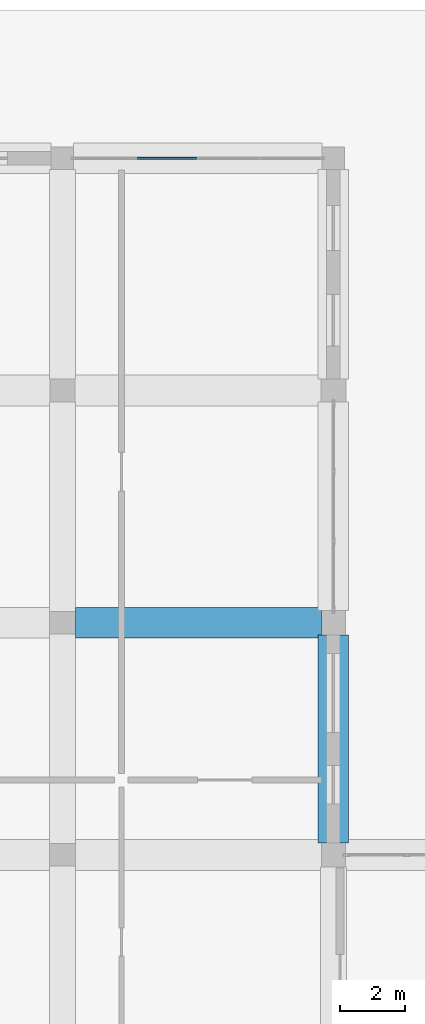
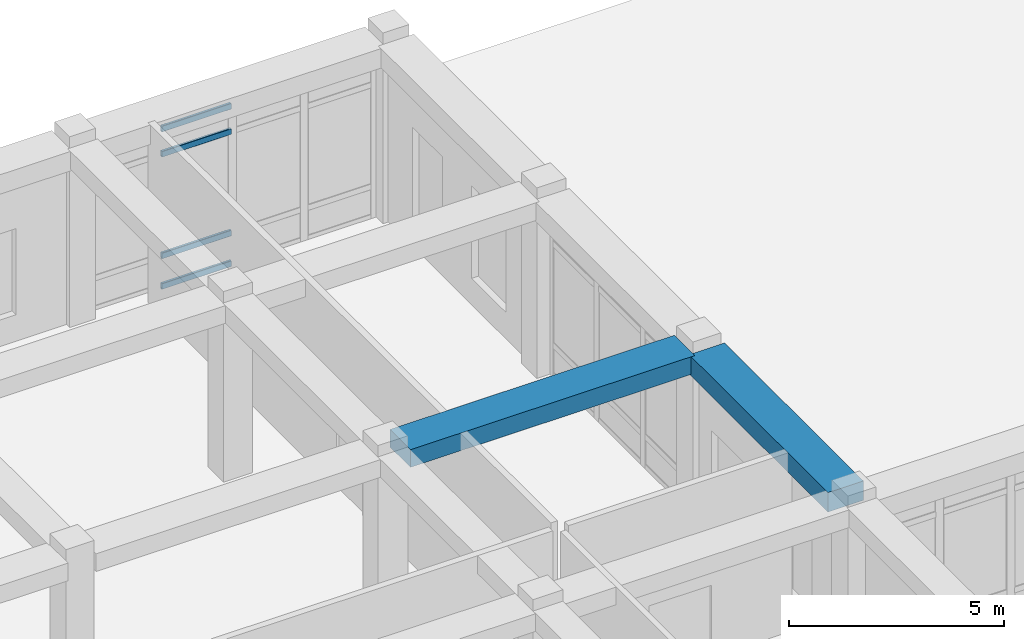
# One storey, part 40 of 84: 4 members, 2 beams, 1 element without a shape of its own.
"""IFC4 building model written with IfcOpenShell, lengths in metres."""

import ifcopenshell
import ifcopenshell.guid

model = None  # the IFC model being written
_history = None  # IfcOwnerHistory: only IFC2X3 demands one
_inside = {}  # id of a spatial element -> (the spatial element, [elements in it])
_under = {}  # id of a project, library or spatial element -> (it, [spatial elements below it])
_declared = {}  # id of a project -> (the project, [libraries it declares])
_typed = {}  # id of a type object -> (the type object, [elements of that type])
_made_of = {}  # id of a material, layer set ... -> (it, [elements and type objects made of it])


def new_model(schema):
    """Start an empty IFC model of exactly this schema.

    Asked for "IFC4X3", IfcOpenShell would pick the latest addendum, in which some entities
    have other attributes; the version numbers below select the first issue.
    IFC2X3 requires an IfcOwnerHistory on every rooted entity: one is made here for all.
    """
    global model, _history
    if schema == "IFC4X3":
        model = ifcopenshell.file(schema_version=(4, 3, 0, 0))
    else:
        model = ifcopenshell.file(schema=schema)
    _inside.clear()
    _under.clear()
    _declared.clear()
    _typed.clear()
    _made_of.clear()
    _history = None
    if model.schema == "IFC2X3":
        org = make("IfcOrganization", Name="unknown")
        user = make(
            "IfcPersonAndOrganization",
            ThePerson=make("IfcPerson", FamilyName="unknown"),
            TheOrganization=org,
        )
        app = make(
            "IfcApplication",
            ApplicationDeveloper=org,
            Version="unknown",
            ApplicationFullName="unknown",
            ApplicationIdentifier="unknown",
        )
        _history = make(
            "IfcOwnerHistory",
            OwningUser=user,
            OwningApplication=app,
            ChangeAction="ADDED",
            CreationDate=0,
        )
    return model


def make(cls, **values):
    """One entity of the class cls with the attributes given. An attribute that is None is left unset."""
    return model.create_entity(
        cls, **{name: value for name, value in values.items() if value is not None}
    )


def rooted(cls, **values):
    """An entity with a GlobalId (a new one), such as an element, a storey or a relation."""
    return make(cls, GlobalId=ifcopenshell.guid.new(), OwnerHistory=_history, **values)


def si_unit(unit_type, name, prefix=None):
    """IfcSIUnit, for example si_unit("LENGTHUNIT", "METRE", prefix="MILLI")."""
    return make("IfcSIUnit", UnitType=unit_type, Prefix=prefix, Name=name)


def derived_unit(unit_type, elements):
    """IfcDerivedUnit: a product of units, each with its exponent."""
    return make(
        "IfcDerivedUnit",
        Elements=[
            make("IfcDerivedUnitElement", Unit=unit, Exponent=power)
            for unit, power in elements
        ],
        UnitType=unit_type,
    )


def assignment(units):
    """IfcUnitAssignment: the units of a project."""
    return None if units is None else make("IfcUnitAssignment", Units=units)


def point(xyz):
    """IfcCartesianPoint."""
    return None if xyz is None else make("IfcCartesianPoint", Coordinates=xyz)


def direction(xyz):
    """IfcDirection."""
    return None if xyz is None else make("IfcDirection", DirectionRatios=xyz)


def frame(location, z_axis=None, x_axis=None):
    """IfcAxis2Placement3D, a coordinate frame: its origin and axes. An axis left out is left unset."""
    return make(
        "IfcAxis2Placement3D",
        Location=point(location),
        Axis=direction(z_axis),
        RefDirection=direction(x_axis),
    )


def frame_2d(location, x_axis=None):
    """IfcAxis2Placement2D, a coordinate frame in the plane: its origin and x axis."""
    return make(
        "IfcAxis2Placement2D", Location=point(location), RefDirection=direction(x_axis)
    )


def origin():
    """The frame at (0, 0, 0) with its axes left unset."""
    return frame((0.0, 0.0, 0.0))


def origin_2d():
    """The frame at (0, 0) in the plane with its x axis left unset."""
    return frame_2d((0.0, 0.0))


def place(relative_to, where):
    """IfcLocalPlacement: puts the frame where relative to a parent placement (None: the world)."""
    return make(
        "IfcLocalPlacement", PlacementRelTo=relative_to, RelativePlacement=where
    )


def context(
    kind, dimensions, precision=None, world=None, true_north=None, identifier=None
):
    """IfcGeometricRepresentationContext, for example the 3D "Model" context."""
    return make(
        "IfcGeometricRepresentationContext",
        ContextIdentifier=identifier,
        ContextType=kind,
        CoordinateSpaceDimension=dimensions,
        Precision=precision,
        WorldCoordinateSystem=world,
        TrueNorth=true_north,
    )


def subcontext(parent, identifier, kind, view, scale=None):
    """IfcGeometricRepresentationSubContext, for example "Body" below "Model"."""
    return make(
        "IfcGeometricRepresentationSubContext",
        ContextIdentifier=identifier,
        ContextType=kind,
        ParentContext=parent,
        TargetScale=scale,
        TargetView=view,
    )


def project(units=None, contexts=None):
    """IfcProject with its units and contexts."""
    return rooted(
        "IfcProject",
        Name="project",
        RepresentationContexts=contexts,
        UnitsInContext=assignment(units),
    )


def spatial(cls, under=None, at=None, **own):
    """A site, building, storey or space (cls), placed at a placement, below another one or the project."""
    s = rooted(cls, ObjectPlacement=at, **own)
    if under is not None:
        _under.setdefault(under.id(), (under, []))[1].append(s)
    return s


def profile(cls, at=None, kind="AREA", **sizes):
    """A parametric profile (cls). Its sizes go by their IFC names, for example OverallWidth=200.0."""
    return make(cls, ProfileType=kind, Position=at, **sizes)


def rectangle(**sizes):
    """IfcRectangleProfileDef."""
    return profile("IfcRectangleProfileDef", **sizes)


def hollow_rectangle(**sizes):
    """IfcRectangleHollowProfileDef."""
    return profile("IfcRectangleHollowProfileDef", **sizes)


def extrude(swept, where, along, depth):
    """IfcExtrudedAreaSolid: the profile swept, set in the frame where, extruded along a direction by depth."""
    return make(
        "IfcExtrudedAreaSolid",
        SweptArea=swept,
        Position=where,
        ExtrudedDirection=direction(along),
        Depth=depth,
    )


def shape(context_of_items, identifier, shape_type, items):
    """IfcShapeRepresentation: the items that make up one representation, for example the "Body"."""
    return make(
        "IfcShapeRepresentation",
        ContextOfItems=context_of_items,
        RepresentationIdentifier=identifier,
        RepresentationType=shape_type,
        Items=items,
    )


def material(Name=None, Category=None):
    """IfcMaterial."""
    return make("IfcMaterial", Name=Name, Category=Category)


def material_profile(
    of_material, cross_section, Name=None, Category=None, Priority=None
):
    """IfcMaterialProfile: a cross section and its material."""
    return make(
        "IfcMaterialProfile",
        Name=Name,
        Material=of_material,
        Profile=cross_section,
        Priority=Priority,
        Category=Category,
    )


def profile_set(profiles, Name=None, composite=None):
    """IfcMaterialProfileSet."""
    return make(
        "IfcMaterialProfileSet",
        Name=Name,
        MaterialProfiles=profiles,
        CompositeProfile=composite,
    )


def made_of(thing, what):
    """Note that an element or type object is made of a material, layer set ...; save() writes the relation."""
    if what is not None:
        _made_of.setdefault(what.id(), (what, []))[1].append(thing)
    return thing


def type_object(cls, material=None, **own):
    """A type object (cls), such as IfcWallType, which elements share."""
    return made_of(rooted(cls, **own), material)


def element(
    cls,
    number,
    at=None,
    inside=None,
    cuts=None,
    type_object=None,
    material=None,
    context=None,
    identifier="Body",
    shape_type=None,
    held_by="IfcProductDefinitionShape",
    body=None,
    shapes=None,
    **own,
):
    """One element of the class cls, such as IfcWall. Its Tag is "e" and its number.

    at: its placement. inside: the storey or other place that contains it. cuts: it is an
    opening in that element (IfcRelVoidsElement). A single representation is given by context,
    identifier, shape_type and body (its items); several are given by shapes. held_by: the class
    of the entity that holds the representations. save() writes the other relations.
    """
    e = rooted(cls, Tag="e%d" % number, ObjectPlacement=at, **own)
    if body is not None:
        shapes = [shape(context, identifier, shape_type, body)]
    if shapes is not None:
        e.Representation = make(held_by, Representations=shapes)
    if inside is not None:
        _inside.setdefault(inside.id(), (inside, []))[1].append(e)
    if cuts is not None:
        rooted(
            "IfcRelVoidsElement", RelatingBuildingElement=cuts, RelatedOpeningElement=e
        )
    if type_object is not None:
        _typed.setdefault(type_object.id(), (type_object, []))[1].append(e)
    return made_of(e, material)


def aggregate(whole, parts):
    """IfcRelAggregates: a whole, such as a stair, and the parts it consists of."""
    return rooted("IfcRelAggregates", RelatingObject=whole, RelatedObjects=parts)


def save(model, path):
    """Write the relations noted so far, then the file.

    IfcRelAggregates (storeys below a building ...), IfcRelContainedInSpatialStructure (elements
    in a storey), IfcRelDefinesByType, IfcRelAssociatesMaterial and IfcRelDeclares: one each for
    every whole, place, type object, material and project.
    """
    for whole, parts in _under.values():
        aggregate(whole, parts)
    for where, things in _inside.values():
        rooted(
            "IfcRelContainedInSpatialStructure",
            RelatedElements=things,
            RelatingStructure=where,
        )
    for kind, things in _typed.values():
        rooted("IfcRelDefinesByType", RelatedObjects=things, RelatingType=kind)
    for what, things in _made_of.values():
        rooted("IfcRelAssociatesMaterial", RelatedObjects=things, RelatingMaterial=what)
    for by, libraries in _declared.values():
        rooted("IfcRelDeclares", RelatingContext=by, RelatedDefinitions=libraries)
    model.write(path)


model = new_model("IFC4")

# Units and contexts
model_context = context("Model", 3, precision=1e-05, world=origin(), true_north=direction((0.0, 1.0)))
body_context = subcontext(model_context, "Body", "Model", "MODEL_VIEW")
ifc_project = project(units=[si_unit("LENGTHUNIT", "METRE"), si_unit("AREAUNIT", "SQUARE_METRE"), si_unit("VOLUMEUNIT", "CUBIC_METRE"), si_unit("PLANEANGLEUNIT", "RADIAN"), si_unit("MASSUNIT", "GRAM", prefix="KILO"), derived_unit("THERMALTRANSMITTANCEUNIT", [(si_unit("POWERUNIT", "WATT"), 1), (si_unit("LENGTHUNIT", "METRE"), -2), (si_unit("THERMODYNAMICTEMPERATUREUNIT", "KELVIN"), -1)])], contexts=[model_context])

# Site, building, storey
site_placement = place(None, origin())
site = spatial("IfcSite", under=ifc_project, at=site_placement, CompositionType="ELEMENT")
building_placement = place(site_placement, origin())
building = spatial("IfcBuilding", under=site, at=building_placement, Name="Veybourne Emporium", CompositionType="ELEMENT")
storey_placement = place(building_placement, origin())
storey = spatial("IfcBuildingStorey", under=building, at=storey_placement, Name="L00", CompositionType="ELEMENT", Elevation=0.0)

# Curtain wall, members
ifc_material_1 = material(Name="Patinated Architectural Bronze", Category="bronze")
curtain_wall_type = type_object("IfcCurtainWallType", Name="CWSystem_CWS-08", PredefinedType="NOTDEFINED", material=ifc_material_1)
curtain_wall_placement = place(storey_placement, origin())
curtain_wall = element("IfcCurtainWall", 1, at=curtain_wall_placement, inside=storey, type_object=curtain_wall_type, Name="L00 bronze glazed curtain wall CWS-08 (052)", PredefinedType="NOTDEFINED")
ifc_material_profile_1 = material_profile(ifc_material_1, hollow_rectangle(XDim=0.070068359375, YDim=0.169921875, WallThickness=0.0048828125, InnerFilletRadius=0.007568359375, OuterFilletRadius=0.012451171875, at=origin_2d()), Name="CWT 70x170x5")
ifc_profile_set_1 = profile_set([ifc_material_profile_1], Name="Patinated Architectural Bronze")
member_type = type_object("IfcMemberType", Name="CWTransom_CW-T4", PredefinedType="NOTDEFINED", material=ifc_profile_set_1)
member_1_placement = place(storey_placement, frame((94.7099609375, 115.199951171875, 0.034912109375), z_axis=(1.0, 0.0, 0.0), x_axis=(0.0, 1.0, 0.0)))
member_1 = element("IfcMember", 2, at=member_1_placement, type_object=member_type, Name="CWS-08 transom 2.1", ObjectType="TRANSOM", PredefinedType="USERDEFINED", context=body_context, shape_type="SweptSolid", body=[
    extrude(hollow_rectangle(XDim=0.070068359375, YDim=0.169921875, WallThickness=0.0048828125, InnerFilletRadius=0.007568359375, OuterFilletRadius=0.012451171875, at=origin_2d()), origin(), (0.0, 0.0, 1.0), 1.85498046875),
])
member_2_placement = place(storey_placement, frame((94.7099609375, 115.199951171875, 0.89990234375), z_axis=(1.0, 0.0, 0.0), x_axis=(0.0, 1.0, 0.0)))
member_2 = element("IfcMember", 3, at=member_2_placement, type_object=member_type, Name="CWS-08 transom 2.2", ObjectType="TRANSOM", PredefinedType="USERDEFINED", context=body_context, shape_type="SweptSolid", body=[
    extrude(hollow_rectangle(XDim=0.070068359375, YDim=0.169921875, WallThickness=0.0048828125, InnerFilletRadius=0.007568359375, OuterFilletRadius=0.012451171875, at=origin_2d()), origin(), (0.0, 0.0, 1.0), 1.85498046875),
])
member_3_placement = place(storey_placement, frame((94.7099609375, 115.199951171875, 3.780029296875), z_axis=(1.0, 0.0, 0.0), x_axis=(0.0, 1.0, 0.0)))
member_3 = element("IfcMember", 4, at=member_3_placement, type_object=member_type, Name="CWS-08 transom 2.3", ObjectType="TRANSOM", PredefinedType="USERDEFINED", context=body_context, shape_type="SweptSolid", body=[
    extrude(hollow_rectangle(XDim=0.070068359375, YDim=0.169921875, WallThickness=0.0048828125, InnerFilletRadius=0.007568359375, OuterFilletRadius=0.012451171875, at=origin_2d()), origin(), (0.0, 0.0, 1.0), 1.85498046875),
])
member_4_placement = place(storey_placement, frame((94.7099609375, 115.199951171875, 4.4951171875), z_axis=(1.0, 0.0, 0.0), x_axis=(0.0, 1.0, 0.0)))
member_4 = element("IfcMember", 5, at=member_4_placement, type_object=member_type, Name="CWS-08 transom 2.4", ObjectType="TRANSOM", PredefinedType="USERDEFINED", context=body_context, shape_type="SweptSolid", body=[
    extrude(hollow_rectangle(XDim=0.070068359375, YDim=0.169921875, WallThickness=0.0048828125, InnerFilletRadius=0.007568359375, OuterFilletRadius=0.012451171875, at=origin_2d()), origin(), (0.0, 0.0, 1.0), 1.85498046875),
])
aggregate(curtain_wall, [member_1, member_2, member_3, member_4])

# Beams
ifc_material_2 = material(Name="Concrete C32/40", Category="concrete")
ifc_material_profile_2 = material_profile(ifc_material_2, rectangle(XDim=0.949951171875, YDim=0.5, at=origin_2d()), Name="RC 950x500")
ifc_profile_set_2 = profile_set([ifc_material_profile_2], Name="Concrete C32/40")
beam_type_1 = type_object("IfcBeamType", Name="RCBeam_BB-01", PredefinedType="BEAM", material=ifc_profile_set_2)
beam_1_placement = place(storey_placement, frame((92.800048828125, 100.800048828125, 4.830078125), z_axis=(1.0, 0.0, 0.0), x_axis=(0.0, 1.0, 0.0)))
element("IfcBeam", 6, at=beam_1_placement, inside=storey, type_object=beam_type_1, Name="L00 X-grid beam BB-01 (11,14)", PredefinedType="BEAM", context=body_context, shape_type="SweptSolid", body=[
    extrude(rectangle(XDim=0.949951171875, YDim=0.5, at=origin_2d()), origin(), (0.0, 0.0, 1.0), 7.625),
])
ifc_material_profile_3 = material_profile(ifc_material_2, rectangle(XDim=0.949951171875, YDim=0.550048828125, at=origin_2d()), Name="RC 950x550")
ifc_profile_set_3 = profile_set([ifc_material_profile_3], Name="Concrete C32/40")
beam_type_2 = type_object("IfcBeamType", Name="RCBeam_EB-01", PredefinedType="SPANDREL", material=ifc_profile_set_3)
beam_2_placement = place(storey_placement, frame((100.800048828125, 93.97509765625, 4.804931640625), z_axis=(0.0, 1.0, 0.0), x_axis=(-1.0, 0.0, 0.0)))
element("IfcBeam", 7, at=beam_2_placement, inside=storey, type_object=beam_type_2, Name="L00 Y-grid beam EB-01 (12,13)", PredefinedType="SPANDREL", context=body_context, shape_type="SweptSolid", body=[
    extrude(rectangle(XDim=0.949951171875, YDim=0.550048828125, at=origin_2d()), origin(), (0.0, 0.0, 1.0), 6.449951171875),
])

save(model, "model.ifc")
